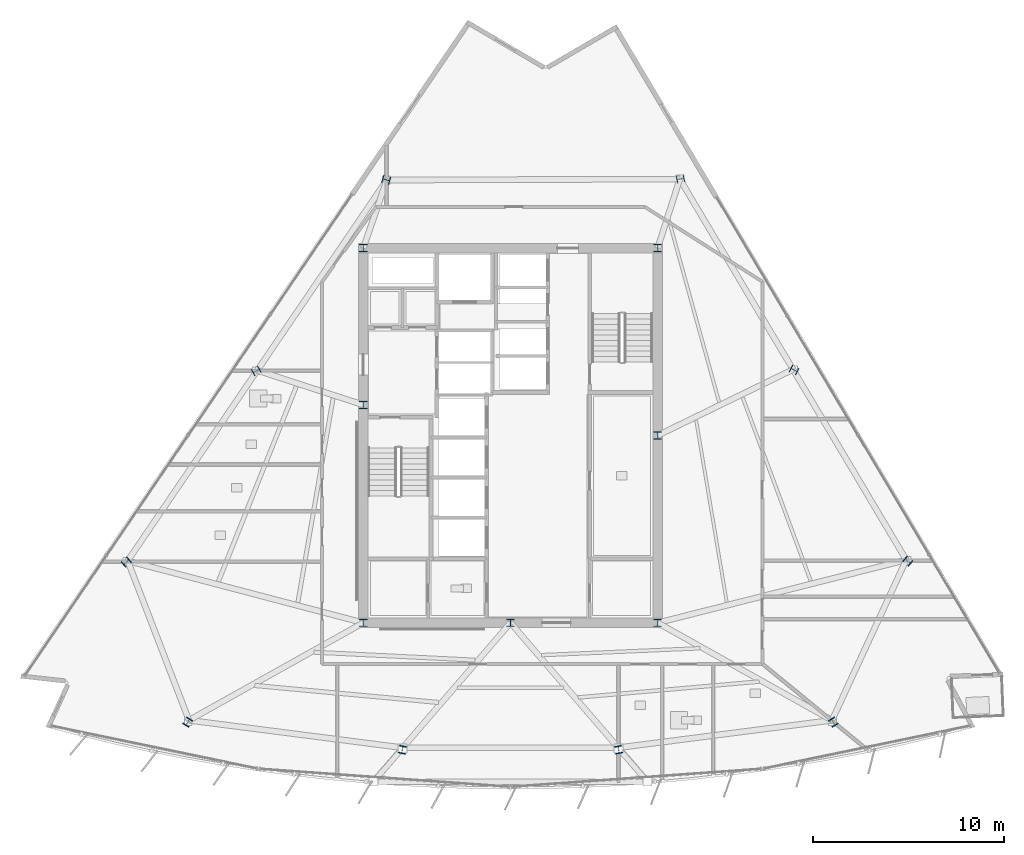
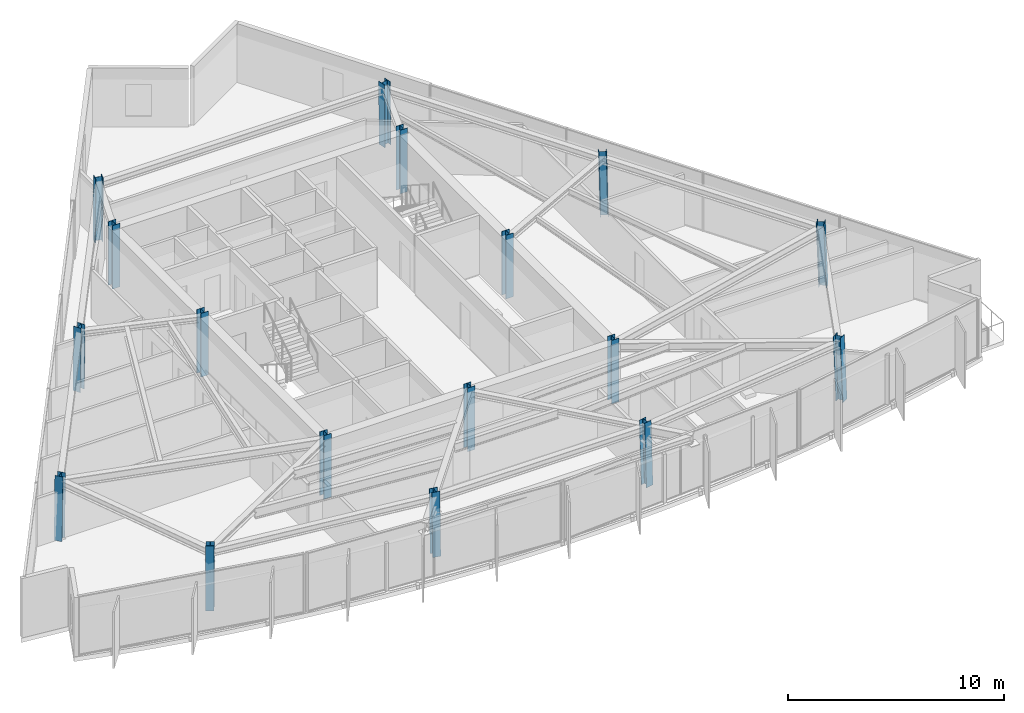
# One storey, part 1 of 15: 17 columns.
"""IFC4 building model written with IfcOpenShell, lengths in metres."""

from ifc_helpers import new_model, si_unit, direction, frame, origin, origin_2d, place, context, subcontext, project, spatial, i_section, extrude, material, material_profile, profile_set, type_object, element, save


model = new_model("IFC4")

# Units and contexts
model_context = context("Model", 3, precision=1e-05, world=origin(), true_north=direction((0.0, 1.0)))
body_context = subcontext(model_context, "Body", "Model", "MODEL_VIEW")
ifc_project = project(units=[si_unit("LENGTHUNIT", "METRE"), si_unit("AREAUNIT", "SQUARE_METRE"), si_unit("VOLUMEUNIT", "CUBIC_METRE"), si_unit("PLANEANGLEUNIT", "RADIAN"), si_unit("MASSUNIT", "GRAM", prefix="KILO")], contexts=[model_context])

# Site, building, storey
site_placement = place(None, origin())
site = spatial("IfcSite", under=ifc_project, at=site_placement, CompositionType="ELEMENT")
building_placement = place(site_placement, origin())
building = spatial("IfcBuilding", under=site, at=building_placement, Name="Savorim Split Tower", CompositionType="ELEMENT")
storey_placement = place(building_placement, frame((0.0, 0.0, 201.89990234375)))
storey = spatial("IfcBuildingStorey", under=building, at=storey_placement, Name="L53", CompositionType="ELEMENT", Elevation=201.89990234375)

# Columns
ifc_material = material(Name="Steel S355", Category="steel")
ifc_material_profile = material_profile(ifc_material, i_section(OverallWidth=0.39794921875, OverallDepth=0.386962890625, WebThickness=0.013427734375, FlangeThickness=0.02197265625, FilletRadius=0.014892578125, at=origin_2d()), Name="HD 400x262")
ifc_profile_set = profile_set([ifc_material_profile], Name="Steel S355")
column_type = type_object("IfcColumnType", Name="COL-HD-262", PredefinedType="COLUMN", material=ifc_profile_set)
for number, where, z_axis, x_axis, name in (
    (1, (-7.699951171875, -9.39990234375, 0.0), (0.0, 0.0, 1.0), (1.0, 0.0, 0.0), "L53 Core Structural Column TC-C1"),
    (2, (7.699951171875, -9.39990234375, 0.0), (0.0, 0.0, 1.0), (1.0, 0.0, 0.0), "L53 Core Structural Column TC-C2"),
    (3, (7.699951171875, 10.199951171875, 0.0), (0.0, 0.0, 1.0), (1.0, 0.0, 0.0), "L53 Core Structural Column TC-C3"),
    (4, (-7.699951171875, 10.199951171875, 0.0), (0.0, 0.0, 1.0), (1.0, 0.0, 0.0), "L53 Core Structural Column TC-C4"),
    (5, (0.0, -9.39990234375, 0.0), (0.0, 0.0, 1.0), (1.0, 0.0, 0.0), "L53 Core Structural Column TC-C5"),
    (6, (7.699951171875, 0.39990234375, 0.0), (0.0, 0.0, 1.0), (1.0, 0.0, 0.0), "L53 Core Structural Column TC-C6"),
    (7, (-7.699951171875, 2.0, 0.0), (0.0, 0.0, 1.0), (1.0, 0.0, 0.0), "L53 Core Structural Column TC-C7"),
):
    element("IfcColumn", number, at=place(storey_placement, frame(where, z_axis=z_axis, x_axis=x_axis)), inside=storey, type_object=column_type, Name=name, PredefinedType="COLUMN", context=body_context, shape_type="SweptSolid", body=[
        extrude(i_section(OverallWidth=0.39794921875, OverallDepth=0.386962890625, WebThickness=0.013427734375, FlangeThickness=0.02197265625, FilletRadius=0.014892578125, at=origin_2d()), origin(), (0.0, 0.0, 1.0), 3.60009765625),
    ])
column_1_placement = place(storey_placement, frame((-16.894287109375, -14.61962890625, 0.005615234375), z_axis=(0.020596339702, 0.033443561496, 0.99922836178), x_axis=(-0.851480003019, 0.52438707503, 0.0)))
element("IfcColumn", 8, at=column_1_placement, inside=storey, type_object=column_type, Name="L53 Tapered Perimeter Column PC-S1", PredefinedType="COLUMN", context=body_context, shape_type="SweptSolid", body=[
    extrude(i_section(OverallWidth=0.39794921875, OverallDepth=0.386962890625, WebThickness=0.013427734375, FlangeThickness=0.02197265625, FilletRadius=0.014892578125, at=origin_2d()), origin(), (0.0, 0.0, 1.0), 3.591552734375),
])
for number, where, z_axis, x_axis, name in (
    (9, (-5.662109375, -16.061767578125, 0.005615234375), (0.006934304776, 0.03521539092, 0.999355688261), (-0.981159154887, 0.193201223549, 0.0), "L53 Tapered Perimeter Column PC-S2"),
    (10, (5.662109375, -16.061767578125, 0.005615234375), (-0.006934304776, 0.03521539092, 0.999355688261), (-0.981159154887, -0.193201223549, 0.0), "L53 Tapered Perimeter Column PC-S3"),
):
    element("IfcColumn", number, at=place(storey_placement, frame(where, z_axis=z_axis, x_axis=x_axis)), inside=storey, type_object=column_type, Name=name, PredefinedType="COLUMN", context=body_context, shape_type="SweptSolid", body=[
        extrude(i_section(OverallWidth=0.39794921875, OverallDepth=0.386962890625, WebThickness=0.013427734375, FlangeThickness=0.02197265625, FilletRadius=0.014892578125, at=origin_2d()), origin(), (0.0, 0.0, 1.0), 3.591064453125),
    ])
column_2_placement = place(storey_placement, frame((16.894287109375, -14.61962890625, 0.005615234375), z_axis=(-0.020596339702, 0.033443561496, 0.99922836178), x_axis=(-0.851480003019, -0.52438707503, 0.0)))
element("IfcColumn", 11, at=column_2_placement, inside=storey, type_object=column_type, Name="L53 Tapered Perimeter Column PC-S4", PredefinedType="COLUMN", context=body_context, shape_type="SweptSolid", body=[
    extrude(i_section(OverallWidth=0.39794921875, OverallDepth=0.386962890625, WebThickness=0.013427734375, FlangeThickness=0.02197265625, FilletRadius=0.014892578125, at=origin_2d()), origin(), (0.0, 0.0, 1.0), 3.591552734375),
])
column_3_placement = place(storey_placement, frame((20.796142578125, -6.186767578125, 0.005615234375), z_axis=(-0.026107436898, 0.021620221181, 0.999425318758), x_axis=(-0.637813971185, -0.770190455771, 0.0)))
element("IfcColumn", 12, at=column_3_placement, inside=storey, type_object=column_type, Name="L53 Tapered Perimeter Column PC-E1", PredefinedType="COLUMN", context=body_context, shape_type="SweptSolid", body=[
    extrude(i_section(OverallWidth=0.39794921875, OverallDepth=0.386962890625, WebThickness=0.013427734375, FlangeThickness=0.02197265625, FilletRadius=0.014892578125, at=origin_2d()), origin(), (0.0, 0.0, 1.0), 3.5908203125),
])
column_4_placement = place(storey_placement, frame((14.847900390625, 3.816650390625, 0.005615234375), z_axis=(-0.018907326549, 0.00952167524, 0.999775900241), x_axis=(-0.449781931574, -0.893138406984, 0.0)))
element("IfcColumn", 13, at=column_4_placement, inside=storey, type_object=column_type, Name="L53 Tapered Perimeter Column PC-E2", PredefinedType="COLUMN", context=body_context, shape_type="SweptSolid", body=[
    extrude(i_section(OverallWidth=0.39794921875, OverallDepth=0.386962890625, WebThickness=0.013427734375, FlangeThickness=0.02197265625, FilletRadius=0.014892578125, at=origin_2d()), origin(), (0.0, 0.0, 1.0), 3.589599609375),
])
for number, where, z_axis, x_axis, name in (
    (14, (8.899658203125, 13.820068359375, 0.005615234375), (-0.011767855299, -0.002516824544, 0.999927588966), (0.209143047003, -0.977885057607, 0.0), "L53 Tapered Perimeter Column PC-E3"),
    (15, (-6.5029296875, 13.771240234375, 0.005615234375), (0.008843163607, -0.002516900411, 0.999957730942), (0.273743828055, 0.961802639112, 0.0), "L53 Tapered Perimeter Column PC-W1"),
):
    element("IfcColumn", number, at=place(storey_placement, frame(where, z_axis=z_axis, x_axis=x_axis)), inside=storey, type_object=column_type, Name=name, PredefinedType="COLUMN", context=body_context, shape_type="SweptSolid", body=[
        extrude(i_section(OverallWidth=0.39794921875, OverallDepth=0.386962890625, WebThickness=0.013427734375, FlangeThickness=0.02197265625, FilletRadius=0.014892578125, at=origin_2d()), origin(), (0.0, 0.0, 1.0), 3.589111328125),
    ])
column_5_placement = place(storey_placement, frame((-13.30810546875, 3.767822265625, 0.005615234375), z_axis=(0.017071567417, 0.009521989794, 0.999808928394), x_axis=(-0.487119351792, 0.873335409284, 0.0)))
element("IfcColumn", 16, at=column_5_placement, inside=storey, type_object=column_type, Name="L53 Tapered Perimeter Column PC-W2", PredefinedType="COLUMN", context=body_context, shape_type="SweptSolid", body=[
    extrude(i_section(OverallWidth=0.39794921875, OverallDepth=0.386962890625, WebThickness=0.013427734375, FlangeThickness=0.02197265625, FilletRadius=0.014892578125, at=origin_2d()), origin(), (0.0, 0.0, 1.0), 3.589599609375),
])
column_6_placement = place(storey_placement, frame((-20.11328125, -6.235595703125, 0.005615234375), z_axis=(0.025224163578, 0.021620711639, 0.999447990843), x_axis=(-0.650791373456, 0.759256602365, 0.0)))
element("IfcColumn", 17, at=column_6_placement, inside=storey, type_object=column_type, Name="L53 Tapered Perimeter Column PC-W3", PredefinedType="COLUMN", context=body_context, shape_type="SweptSolid", body=[
    extrude(i_section(OverallWidth=0.39794921875, OverallDepth=0.386962890625, WebThickness=0.013427734375, FlangeThickness=0.02197265625, FilletRadius=0.014892578125, at=origin_2d()), origin(), (0.0, 0.0, 1.0), 3.5908203125),
])

save(model, "model.ifc")
